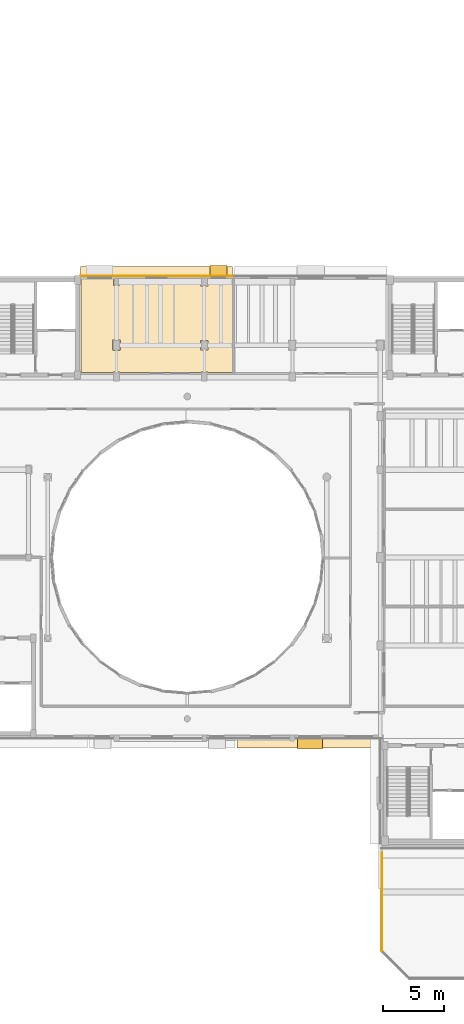
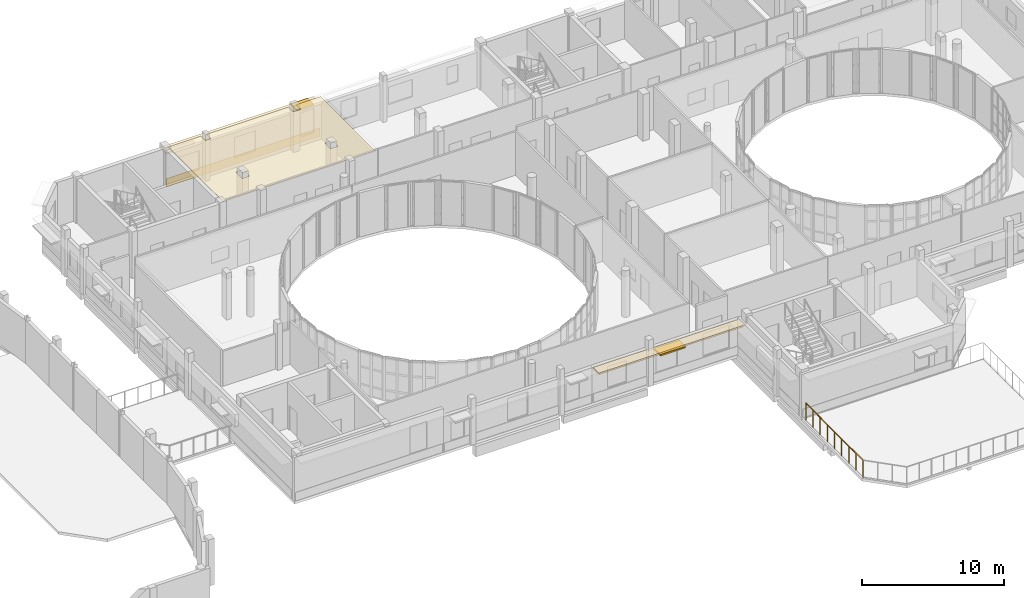
# One storey, part 79 of 89: 4 coverings, 2 shading devices, 1 railing.
"""IFC4 building model written with IfcOpenShell, lengths in metres."""

from ifc_helpers import new_model, si_unit, direction, frame, origin, origin_2d, place, context, subcontext, project, spatial, polyline, rectangle, circle, outline, extrude, material, layer, layer_set, type_object, element, save


model = new_model("IFC4")

# Units and contexts
model_context = context("Model", 3, precision=1e-05, world=origin(), true_north=direction((0.0, 1.0)))
body_context = subcontext(model_context, "Body", "Model", "MODEL_VIEW")
ifc_project = project(units=[si_unit("LENGTHUNIT", "METRE"), si_unit("AREAUNIT", "SQUARE_METRE"), si_unit("VOLUMEUNIT", "CUBIC_METRE"), si_unit("PLANEANGLEUNIT", "RADIAN"), si_unit("MASSUNIT", "GRAM", prefix="KILO")], contexts=[model_context])

# Site, building, storey
site_placement = place(None, origin())
site = spatial("IfcSite", under=ifc_project, at=site_placement, CompositionType="ELEMENT")
building_placement = place(site_placement, origin())
building = spatial("IfcBuilding", under=site, at=building_placement, Name="Kelanivale Promenade Academy", CompositionType="ELEMENT")
storey_placement = place(building_placement, frame((0.0, 0.0, 12.199951171875)))
storey = spatial("IfcBuildingStorey", under=building, at=storey_placement, Name="L03", CompositionType="ELEMENT", Elevation=12.199951171875)

# Coverings
ifc_material_1 = material(Name="Warm ivory Art Deco stucco frieze band 40 mm", Category="masonry")
ifc_layer_1 = layer(ifc_material_1, 0.0400390625)
ifc_layer_set_1 = layer_set([ifc_layer_1], Name="Warm ivory Art Deco stucco frieze band 40 mm")
covering_type_1 = type_object("IfcCoveringType", Name="COV-CLD2 Warm ivory Art Deco stucco frieze ba", PredefinedType="CLADDING", material=ifc_layer_set_1)
covering_1_placement = place(storey_placement, frame((60.883056640625, 80.25, 2.865234375), z_axis=(0.0, 0.0, 1.0), x_axis=(-1.0, 0.0, 0.0)))
element("IfcCovering", 1, at=covering_1_placement, inside=storey, type_object=covering_type_1, Name="Art Deco projecting 820 mm streamline sunshade eyebrow ledge", PredefinedType="CLADDING", context=body_context, shape_type="SweptSolid", body=[
    extrude(rectangle(XDim=12.47509765625, YDim=0.820068359375, at=origin_2d()), origin(), (0.0, 0.0, 1.0), 0.139892578125),
])
covering_2_placement = place(storey_placement, frame((60.883056640625, 79.864990234375, 0.06005859375), z_axis=(0.0, 0.0, 1.0), x_axis=(-1.0, 0.0, 0.0)))
element("IfcCovering", 2, at=covering_2_placement, inside=storey, type_object=covering_type_1, Name="Art Deco ivory stucco sill frieze band", PredefinedType="CLADDING", context=body_context, shape_type="SweptSolid", body=[
    extrude(rectangle(XDim=12.47509765625, YDim=0.0400390625, at=origin_2d()), origin(), (0.0, 0.0, 1.0), 0.719970703125),
])
covering_3_placement = place(storey_placement, frame((73.43408203125, 41.60009765625, 2.89990234375), z_axis=(0.0, 0.0, 1.0), x_axis=(1.0, 0.0, 0.0)))
element("IfcCovering", 3, at=covering_3_placement, inside=storey, type_object=covering_type_1, Name="Art Deco projecting 820 mm streamline sunshade eyebrow ledge", PredefinedType="CLADDING", context=body_context, shape_type="SweptSolid", body=[
    extrude(rectangle(XDim=11.93310546875, YDim=0.820068359375, at=origin_2d()), origin(), (0.0, 0.0, 1.0), 0.139892578125),
])
ifc_material_2 = material(Name="Acoustic mineral-fibre ceiling tile 25 mm", Category="gypsum")
ifc_layer_2 = layer(ifc_material_2, 0.02490234375)
ifc_layer_set_2 = layer_set([ifc_layer_2], Name="Acoustic mineral-fibre ceiling tile 25 mm")
covering_type_2 = type_object("IfcCoveringType", Name="COV-CLG1 Acoustic mineral-fibre ceiling tile ", PredefinedType="CEILING", material=ifc_layer_set_2)
covering_4_placement = place(storey_placement, frame((0.0, 0.0, 3.550048828125)))
element("IfcCovering", 4, at=covering_4_placement, inside=storey, type_object=covering_type_2, Name="Secondary Classroom North 1 acoustic suspended ceiling", PredefinedType="CEILING", context=body_context, shape_type="SweptSolid", body=[
    extrude(outline(polyline([(67.090087890625, 79.699951171875), (65.110107421875, 79.699951171875), (65.110107421875, 79.080078125), (65.110107421875, 79.075927734375), (65.10888671875, 79.072021484375), (65.10791015625, 79.068115234375), (65.10693359375, 79.06494140625), (65.10498046875, 79.06103515625), (65.10302734375, 79.05810546875), (65.10107421875, 79.054931640625), (65.097900390625, 79.052001953125), (65.094970703125, 79.049072265625), (65.092041015625, 79.047119140625), (65.089111328125, 79.044921875), (65.0849609375, 79.04296875), (65.08203125, 79.0419921875), (65.077880859375, 79.041015625), (65.073974609375, 79.0400390625), (65.070068359375, 79.0400390625), (64.530029296875, 79.0400390625), (64.52587890625, 79.0400390625), (64.52197265625, 79.041015625), (64.51806640625, 79.0419921875), (64.514892578125, 79.04296875), (64.510986328125, 79.044921875), (64.508056640625, 79.047119140625), (64.5048828125, 79.049072265625), (64.501953125, 79.052001953125), (64.4990234375, 79.054931640625), (64.4970703125, 79.05810546875), (64.4951171875, 79.06103515625), (64.492919921875, 79.06494140625), (64.491943359375, 79.068115234375), (64.490966796875, 79.072021484375), (64.489990234375, 79.075927734375), (64.489990234375, 79.080078125), (64.489990234375, 79.699951171875), (57.821044921875, 79.699951171875), (57.822998046875, 79.697998046875), (57.825927734375, 79.695068359375), (57.827880859375, 79.69189453125), (57.830078125, 79.68896484375), (57.83203125, 79.68505859375), (57.8330078125, 79.681884765625), (57.833984375, 79.677978515625), (57.8349609375, 79.674072265625), (57.8349609375, 79.669921875), (57.8349609375, 79.1298828125), (57.8349609375, 79.1259765625), (57.833984375, 79.1220703125), (57.8330078125, 79.117919921875), (57.83203125, 79.114990234375), (57.830078125, 79.111083984375), (57.827880859375, 79.10791015625), (57.825927734375, 79.10498046875), (57.822998046875, 79.10205078125), (57.820068359375, 79.09912109375), (57.81689453125, 79.096923828125), (57.81396484375, 79.094970703125), (57.81005859375, 79.093017578125), (57.806884765625, 79.092041015625), (57.802978515625, 79.091064453125), (57.799072265625, 79.090087890625), (57.794921875, 79.090087890625), (57.405029296875, 79.090087890625), (57.40087890625, 79.090087890625), (57.39697265625, 79.091064453125), (57.39306640625, 79.092041015625), (57.389892578125, 79.093017578125), (57.385986328125, 79.094970703125), (57.383056640625, 79.096923828125), (57.3798828125, 79.09912109375), (57.376953125, 79.10205078125), (57.3740234375, 79.10498046875), (57.3720703125, 79.10791015625), (57.3701171875, 79.111083984375), (57.367919921875, 79.114990234375), (57.366943359375, 79.117919921875), (57.365966796875, 79.1220703125), (57.364990234375, 79.1259765625), (57.364990234375, 79.1298828125), (57.364990234375, 79.669921875), (57.364990234375, 79.674072265625), (57.365966796875, 79.677978515625), (57.366943359375, 79.681884765625), (57.367919921875, 79.68505859375), (57.3701171875, 79.68896484375), (57.3720703125, 79.69189453125), (57.3740234375, 79.695068359375), (57.376953125, 79.697998046875), (57.37890625, 79.699951171875), (54.7099609375, 79.699951171875), (54.7099609375, 79.155029296875), (54.7099609375, 72.094970703125), (54.7099609375, 71.9599609375), (57.29296875, 71.9599609375), (57.29296875, 71.9599609375), (57.294921875, 71.964111328125), (57.297119140625, 71.967041015625), (57.299072265625, 71.969970703125), (57.302001953125, 71.972900390625), (57.304931640625, 71.97607421875), (57.30810546875, 71.97802734375), (57.31103515625, 71.97998046875), (57.31494140625, 71.98193359375), (57.318115234375, 71.98291015625), (57.322021484375, 71.98388671875), (57.325927734375, 71.985107421875), (57.330078125, 71.985107421875), (57.8701171875, 71.985107421875), (57.8740234375, 71.985107421875), (57.8779296875, 71.98388671875), (57.882080078125, 71.98291015625), (57.885009765625, 71.98193359375), (57.888916015625, 71.97998046875), (57.89208984375, 71.97802734375), (57.89501953125, 71.97607421875), (57.89794921875, 71.972900390625), (57.90087890625, 71.969970703125), (57.903076171875, 71.967041015625), (57.905029296875, 71.964111328125), (57.906982421875, 71.9599609375), (57.906982421875, 71.9599609375), (64.514892578125, 71.9599609375), (64.514892578125, 71.969970703125), (64.514892578125, 71.97412109375), (64.51611328125, 71.97802734375), (64.51708984375, 71.98193359375), (64.51806640625, 71.985107421875), (64.52001953125, 71.989013671875), (64.52197265625, 71.991943359375), (64.52392578125, 71.9951171875), (64.527099609375, 71.998046875), (64.530029296875, 72.0009765625), (64.532958984375, 72.0029296875), (64.535888671875, 72.0048828125), (64.5400390625, 72.007080078125), (64.54296875, 72.008056640625), (64.547119140625, 72.009033203125), (64.551025390625, 72.010009765625), (64.554931640625, 72.010009765625), (65.044921875, 72.010009765625), (65.049072265625, 72.010009765625), (65.052978515625, 72.009033203125), (65.056884765625, 72.008056640625), (65.06005859375, 72.007080078125), (65.06396484375, 72.0048828125), (65.06689453125, 72.0029296875), (65.070068359375, 72.0009765625), (65.072998046875, 71.998046875), (65.075927734375, 71.9951171875), (65.077880859375, 71.991943359375), (65.080078125, 71.989013671875), (65.08203125, 71.985107421875), (65.0830078125, 71.98193359375), (65.083984375, 71.97802734375), (65.0849609375, 71.97412109375), (65.0849609375, 71.969970703125), (65.0849609375, 71.9599609375), (67.090087890625, 71.9599609375), (67.090087890625, 79.699951171875)]), holes=[polyline([(65.070068359375, 74.5849609375), (65.073974609375, 74.5849609375), (65.077880859375, 74.583984375), (65.08203125, 74.5830078125), (65.0849609375, 74.58203125), (65.089111328125, 74.580078125), (65.092041015625, 74.577880859375), (65.094970703125, 74.575927734375), (65.097900390625, 74.572998046875), (65.10107421875, 74.570068359375), (65.10302734375, 74.56689453125), (65.10498046875, 74.56396484375), (65.10693359375, 74.56005859375), (65.10791015625, 74.556884765625), (65.10888671875, 74.552978515625), (65.110107421875, 74.549072265625), (65.110107421875, 74.544921875), (65.110107421875, 73.85498046875), (65.110107421875, 73.85107421875), (65.10888671875, 73.846923828125), (65.10791015625, 73.843017578125), (65.10693359375, 73.840087890625), (65.10498046875, 73.8359375), (65.10302734375, 73.8330078125), (65.10107421875, 73.830078125), (65.097900390625, 73.826904296875), (65.094970703125, 73.823974609375), (65.092041015625, 73.822021484375), (65.089111328125, 73.820068359375), (65.0849609375, 73.818115234375), (65.08203125, 73.81689453125), (65.077880859375, 73.81591796875), (65.073974609375, 73.81494140625), (65.070068359375, 73.81494140625), (64.530029296875, 73.81494140625), (64.52587890625, 73.81494140625), (64.52197265625, 73.81591796875), (64.51806640625, 73.81689453125), (64.514892578125, 73.818115234375), (64.510986328125, 73.820068359375), (64.508056640625, 73.822021484375), (64.5048828125, 73.823974609375), (64.501953125, 73.826904296875), (64.4990234375, 73.830078125), (64.4970703125, 73.8330078125), (64.4951171875, 73.8359375), (64.492919921875, 73.840087890625), (64.491943359375, 73.843017578125), (64.490966796875, 73.846923828125), (64.489990234375, 73.85107421875), (64.489990234375, 73.85498046875), (64.489990234375, 74.544921875), (64.489990234375, 74.549072265625), (64.490966796875, 74.552978515625), (64.491943359375, 74.556884765625), (64.492919921875, 74.56005859375), (64.4951171875, 74.56396484375), (64.4970703125, 74.56689453125), (64.4990234375, 74.570068359375), (64.501953125, 74.572998046875), (64.5048828125, 74.575927734375), (64.508056640625, 74.577880859375), (64.510986328125, 74.580078125), (64.514892578125, 74.58203125), (64.51806640625, 74.5830078125), (64.52197265625, 74.583984375), (64.52587890625, 74.5849609375), (64.530029296875, 74.5849609375), (65.070068359375, 74.5849609375)]), polyline([(57.8701171875, 74.635009765625), (57.8740234375, 74.635009765625), (57.8779296875, 74.634033203125), (57.882080078125, 74.633056640625), (57.885009765625, 74.632080078125), (57.888916015625, 74.6298828125), (57.89208984375, 74.6279296875), (57.89501953125, 74.6259765625), (57.89794921875, 74.623046875), (57.90087890625, 74.6201171875), (57.903076171875, 74.616943359375), (57.905029296875, 74.614013671875), (57.906982421875, 74.610107421875), (57.907958984375, 74.60693359375), (57.908935546875, 74.60302734375), (57.909912109375, 74.59912109375), (57.909912109375, 74.594970703125), (57.909912109375, 73.804931640625), (57.909912109375, 73.801025390625), (57.908935546875, 73.797119140625), (57.907958984375, 73.79296875), (57.906982421875, 73.7900390625), (57.905029296875, 73.785888671875), (57.903076171875, 73.782958984375), (57.90087890625, 73.780029296875), (57.89794921875, 73.777099609375), (57.89501953125, 73.77392578125), (57.89208984375, 73.77197265625), (57.888916015625, 73.77001953125), (57.885009765625, 73.76806640625), (57.882080078125, 73.76708984375), (57.8779296875, 73.76611328125), (57.8740234375, 73.764892578125), (57.8701171875, 73.764892578125), (57.330078125, 73.764892578125), (57.325927734375, 73.764892578125), (57.322021484375, 73.76611328125), (57.318115234375, 73.76708984375), (57.31494140625, 73.76806640625), (57.31103515625, 73.77001953125), (57.30810546875, 73.77197265625), (57.304931640625, 73.77392578125), (57.302001953125, 73.777099609375), (57.299072265625, 73.780029296875), (57.297119140625, 73.782958984375), (57.294921875, 73.785888671875), (57.29296875, 73.7900390625), (57.2919921875, 73.79296875), (57.291015625, 73.797119140625), (57.2900390625, 73.801025390625), (57.2900390625, 73.804931640625), (57.2900390625, 74.594970703125), (57.2900390625, 74.59912109375), (57.291015625, 74.60302734375), (57.2919921875, 74.60693359375), (57.29296875, 74.610107421875), (57.294921875, 74.614013671875), (57.297119140625, 74.616943359375), (57.299072265625, 74.6201171875), (57.302001953125, 74.623046875), (57.304931640625, 74.6259765625), (57.30810546875, 74.6279296875), (57.31103515625, 74.6298828125), (57.31494140625, 74.632080078125), (57.318115234375, 74.633056640625), (57.322021484375, 74.634033203125), (57.325927734375, 74.635009765625), (57.330078125, 74.635009765625), (57.8701171875, 74.635009765625)])]), origin(), (0.0, 0.0, 1.0), 0.02490234375),
])

# Railing
ifc_material_3 = material(Name="Powder-coated galvanized steel and stainless top rail", Category="steel")
railing_type = type_object("IfcRailingType", Name="GR-02 Play Deck Balustrade 1500mm", PredefinedType="BALUSTRADE", material=ifc_material_3)
railing_placement = place(storey_placement, frame((79.340087890625, 24.589111328125, 0.0)))
element("IfcRailing", 5, at=railing_placement, inside=storey, type_object=railing_type, Name="South Courtyard Terrace Play Deck 1500 mm safety balustrade", PredefinedType="BALUSTRADE", context=body_context, shape_type="SweptSolid", body=[
    extrude(circle(Radius=0.02392578125, at=origin_2d()), frame((0.0, 0.0, 1.47607421875), z_axis=(0.0, 1.0, 0.0), x_axis=(-1.0, 0.0, 0.0)), (0.0, 0.0, 1.0), 8.060791015625),
    extrude(circle(Radius=0.02099609375, at=origin_2d()), origin(), (0.0, 0.0, 1.0), 1.451904296875),
    extrude(circle(Radius=0.02099609375, at=origin_2d()), frame((0.0, 1.007568359375, 0.0)), (0.0, 0.0, 1.0), 1.451904296875),
    extrude(circle(Radius=0.02099609375, at=origin_2d()), frame((0.0, 2.01513671875, 0.0)), (0.0, 0.0, 1.0), 1.451904296875),
    extrude(circle(Radius=0.02099609375, at=origin_2d()), frame((0.0, 3.022705078125, 0.0)), (0.0, 0.0, 1.0), 1.451904296875),
    extrude(circle(Radius=0.02099609375, at=origin_2d()), frame((0.0, 4.0302734375, 0.0)), (0.0, 0.0, 1.0), 1.451904296875),
    extrude(circle(Radius=0.02099609375, at=origin_2d()), frame((0.0, 5.0380859375, 0.0)), (0.0, 0.0, 1.0), 1.451904296875),
    extrude(circle(Radius=0.02099609375, at=origin_2d()), frame((0.0, 6.045654296875, 0.0)), (0.0, 0.0, 1.0), 1.451904296875),
    extrude(circle(Radius=0.02099609375, at=origin_2d()), frame((0.0, 7.05322265625, 0.0)), (0.0, 0.0, 1.0), 1.451904296875),
    extrude(circle(Radius=0.02099609375, at=origin_2d()), frame((0.0, 8.060791015625, 0.0)), (0.0, 0.0, 1.0), 1.451904296875),
])

# Shading devices
ifc_material_4 = material(Name="Precast concrete C40/50", Category="concrete")
ifc_layer_3 = layer(ifc_material_4, 0.1201171875)
ifc_layer_set_3 = layer_set([ifc_layer_3], Name="Precast concrete C40/50")
shading_device_type = type_object("IfcShadingDeviceType", Name="SHD-01 Art Deco Sunshade Eyebrow 900mm", PredefinedType="USERDEFINED", material=ifc_layer_set_3)
shading_device_1_placement = place(storey_placement, frame((65.944091796875, 80.2900390625, 2.860107421875), z_axis=(0.0, 0.0, 1.0), x_axis=(-1.0, 0.0, 0.0)))
element("IfcShadingDevice", 6, at=shading_device_1_placement, inside=storey, type_object=shading_device_type, Name="Art Deco 900 mm precast chajja window sunshade", ObjectType="SUNSHADE", PredefinedType="USERDEFINED", context=body_context, shape_type="SweptSolid", body=[
    extrude(rectangle(XDim=1.39990234375, YDim=0.89990234375, at=origin_2d()), origin(), (0.0, 0.0, 1.0), 0.1201171875),
])
shading_device_2_placement = place(storey_placement, frame((73.43408203125, 41.56005859375, 2.81005859375), z_axis=(0.0, 0.0, 1.0), x_axis=(1.0, 0.0, 0.0)))
element("IfcShadingDevice", 7, at=shading_device_2_placement, inside=storey, type_object=shading_device_type, Name="Art Deco 900 mm precast chajja window sunshade", ObjectType="SUNSHADE", PredefinedType="USERDEFINED", context=body_context, shape_type="SweptSolid", body=[
    extrude(rectangle(XDim=2.050048828125, YDim=0.89990234375, at=origin_2d()), origin(), (0.0, 0.0, 1.0), 0.1201171875),
])

save(model, "model.ifc")
